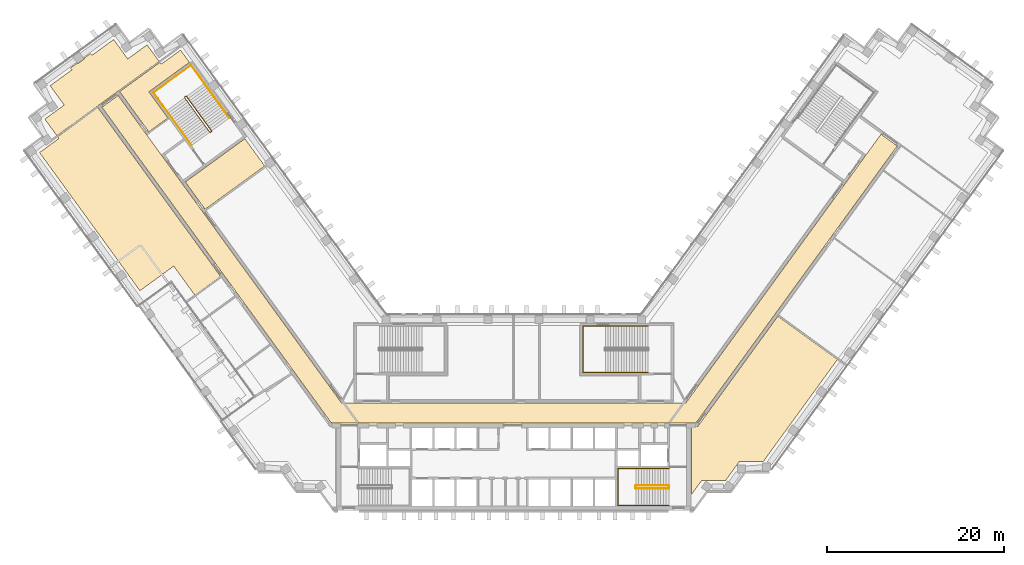
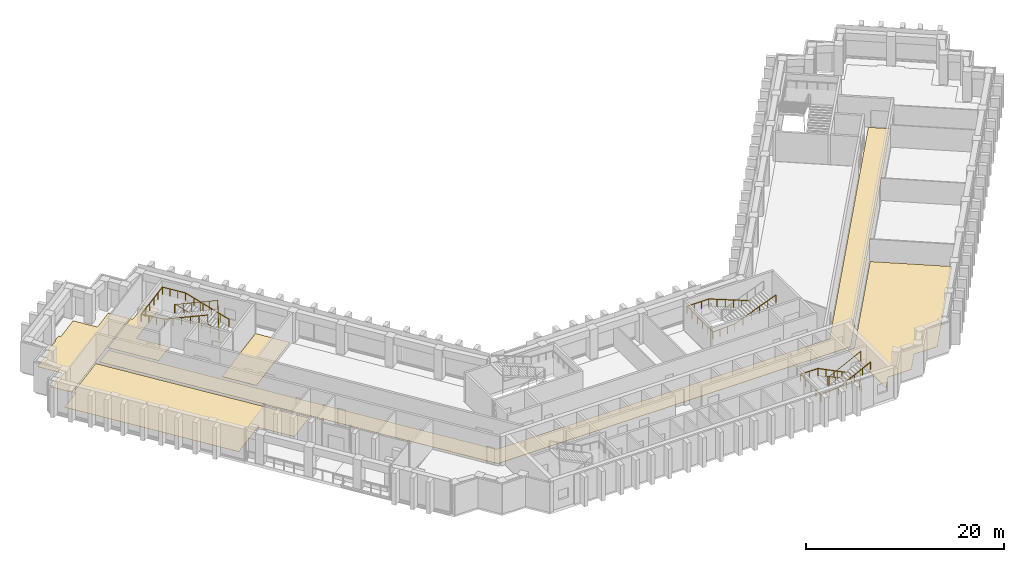
# One storey, part 15 of 16: 6 coverings, 5 railings.
"""IFC4 building model written with IfcOpenShell, lengths in metres."""

from ifc_helpers import new_model, si_unit, direction, frame, origin, origin_2d, place, context, subcontext, project, spatial, polyline, circle, outline, extrude, material, layer, layer_set, type_object, element, save


model = new_model("IFC4")

# Units and contexts
model_context = context("Model", 3, precision=1e-05, world=origin(), true_north=direction((0.0, 1.0)))
body_context = subcontext(model_context, "Body", "Model", "MODEL_VIEW")
ifc_project = project(units=[si_unit("LENGTHUNIT", "METRE"), si_unit("AREAUNIT", "SQUARE_METRE"), si_unit("VOLUMEUNIT", "CUBIC_METRE"), si_unit("PLANEANGLEUNIT", "RADIAN"), si_unit("MASSUNIT", "GRAM", prefix="KILO")], contexts=[model_context])

# Site, building, storey
site_placement = place(None, origin())
site = spatial("IfcSite", under=ifc_project, at=site_placement, CompositionType="ELEMENT")
building_placement = place(site_placement, origin())
building = spatial("IfcBuilding", under=site, at=building_placement, Name="Quipu Civic Tower", CompositionType="ELEMENT")
storey_placement = place(building_placement, frame((0.0, 0.0, 55.0)))
storey = spatial("IfcBuildingStorey", under=building, at=storey_placement, Name="L12", CompositionType="ELEMENT", Elevation=55.0)

# Coverings
ifc_material_1 = material(Name="Carpet tile on raised access floor")
ifc_layer_1 = layer(ifc_material_1, 0.02001953125)
ifc_layer_set_1 = layer_set([ifc_layer_1], Name="Carpet tile on raised access floor")
covering_type_1 = type_object("IfcCoveringType", Name="Carpet tile floor finish 20", PredefinedType="FLOORING", material=ifc_layer_set_1)
covering_1_placement = place(storey_placement, origin())
element("IfcCovering", 1, at=covering_1_placement, inside=storey, type_object=covering_type_1, Name="Carpet tile floor finish 20", PredefinedType="FLOORING", context=body_context, shape_type="SweptSolid", body=[
    extrude(outline(polyline([(-52.883056640625, 33.12890625), (-50.698974609375, 34.717041015625), (-52.284912109375, 36.90087890625), (-49.826904296875, 38.68603515625), (-49.97900390625, 38.89697265625), (-49.259033203125, 39.4208984375), (-49.236083984375, 39.388916015625), (-49.23291015625, 39.385009765625), (-49.22900390625, 39.382080078125), (-49.22607421875, 39.3779296875), (-49.220947265625, 39.3759765625), (-49.217041015625, 39.373046875), (-49.212890625, 39.37109375), (-49.2080078125, 39.3701171875), (-49.202880859375, 39.368896484375), (-49.197998046875, 39.367919921875), (-49.193115234375, 39.367919921875), (-49.18896484375, 39.368896484375), (-49.18408203125, 39.3701171875), (-49.178955078125, 39.37109375), (-49.174072265625, 39.373046875), (-49.169921875, 39.375), (-49.166015625, 39.3779296875), (-48.43798828125, 39.906982421875), (-48.43408203125, 39.909912109375), (-48.430908203125, 39.9130859375), (-48.427001953125, 39.9169921875), (-48.425048828125, 39.9208984375), (-48.422119140625, 39.926025390625), (-48.419921875, 39.929931640625), (-48.4189453125, 39.93505859375), (-48.41796875, 39.93994140625), (-48.4169921875, 39.944091796875), (-48.4169921875, 39.948974609375), (-48.41796875, 39.9541015625), (-48.4189453125, 39.958984375), (-48.419921875, 39.964111328125), (-48.422119140625, 39.968017578125), (-48.424072265625, 39.972900390625), (-48.427001953125, 39.97705078125), (-48.449951171875, 40.008056640625), (-47.72900390625, 40.531982421875), (-47.574951171875, 40.322021484375), (-45.116943359375, 42.10791015625), (-43.531982421875, 39.925048828125), (-41.346923828125, 41.510986328125), (-39.989013671875, 39.64208984375), (-51.52587890625, 31.260009765625), (-52.883056640625, 33.12890625)])), origin(), (0.0, 0.0, 1.0), 0.02001953125),
])
covering_2_placement = place(storey_placement, origin())
element("IfcCovering", 2, at=covering_2_placement, inside=storey, type_object=covering_type_1, Name="Carpet tile floor finish 20", PredefinedType="FLOORING", context=body_context, shape_type="SweptSolid", body=[
    extrude(outline(polyline([(-44.445068359375, 36.23193359375), (-39.906005859375, 39.530029296875), (-39.757080078125, 39.327880859375), (-37.573974609375, 40.9130859375), (-36.570068359375, 39.530029296875), (-41.139892578125, 36.208984375), (-38.998046875, 33.260009765625), (-41.15087890625, 31.697021484375), (-44.445068359375, 36.23193359375)])), origin(), (0.0, 0.0, 1.0), 0.02001953125),
])
covering_3_placement = place(storey_placement, origin())
element("IfcCovering", 3, at=covering_3_placement, inside=storey, type_object=covering_type_1, Name="Carpet tile floor finish 20", PredefinedType="FLOORING", context=body_context, shape_type="SweptSolid", body=[
    extrude(outline(polyline([(20.070068359375, -9.195068359375), (20.070068359375, -1.52001953125), (20.77490234375, -1.51904296875), (29.7958984375, 10.89794921875), (36.52001953125, 6.013916015625), (28.181884765625, -5.4609375), (25.48193359375, -5.4619140625), (25.2080078125, -5.840087890625), (25.205078125, -5.841064453125), (25.200927734375, -5.843017578125), (25.197021484375, -5.844970703125), (25.193115234375, -5.847900390625), (25.18896484375, -5.85205078125), (25.18603515625, -5.85498046875), (25.18310546875, -5.85888671875), (25.179931640625, -5.863037109375), (25.177978515625, -5.867919921875), (25.177001953125, -5.8720703125), (25.175048828125, -5.876953125), (25.175048828125, -5.882080078125), (25.174072265625, -5.885986328125), (23.89501953125, -7.64599609375), (21.721923828125, -7.64599609375), (21.721923828125, -7.64599609375), (21.718017578125, -7.64306640625), (21.712890625, -7.64111328125), (21.708984375, -7.638916015625), (21.7041015625, -7.637939453125), (21.698974609375, -7.636962890625), (21.694091796875, -7.635986328125), (21.68896484375, -7.636962890625), (21.68408203125, -7.636962890625), (21.679931640625, -7.637939453125), (21.675048828125, -7.639892578125), (21.669921875, -7.64111328125), (21.666015625, -7.64404296875), (21.6630859375, -7.64599609375), (21.196044921875, -7.64599609375), (20.070068359375, -9.195068359375)])), origin(), (0.0, 0.0, 1.0), 0.02001953125),
])
covering_4_placement = place(storey_placement, origin())
element("IfcCovering", 4, at=covering_4_placement, inside=storey, type_object=covering_type_1, Name="Carpet tile floor finish 20", PredefinedType="FLOORING", context=body_context, shape_type="SweptSolid", body=[
    extrude(outline(polyline([(-53.47998046875, 29.35791015625), (-51.298095703125, 30.943115234375), (-51.443115234375, 31.14599609375), (-46.904052734375, 34.444091796875), (-33.052978515625, 15.3798828125), (-35.962890625, 13.26708984375), (-38.346923828125, 16.5458984375), (-42.159912109375, 13.77587890625), (-53.47998046875, 29.35791015625)])), origin(), (0.0, 0.0, 1.0), 0.02001953125),
])
ifc_material_2 = material(Name="Sealed cement screed")
ifc_layer_2 = layer(ifc_material_2, 0.050048828125)
ifc_layer_set_2 = layer_set([ifc_layer_2], Name="Sealed cement screed")
covering_type_2 = type_object("IfcCoveringType", Name="Sealed screed floor finish 50", PredefinedType="FLOORING", material=ifc_layer_set_2)
covering_5_placement = place(storey_placement, origin())
element("IfcCovering", 5, at=covering_5_placement, inside=storey, type_object=covering_type_2, Name="Sealed screed floor finish 50", PredefinedType="FLOORING", context=body_context, shape_type="SweptSolid", body=[
    extrude(outline(polyline([(-37.0380859375, 26.0380859375), (-30.31494140625, 30.922119140625), (-28.0791015625, 27.843017578125), (-34.802001953125, 22.958984375), (-37.0380859375, 26.0380859375)])), origin(), (0.0, 0.0, 1.0), 0.050048828125),
])

# Railings
ifc_material_3 = material(Name="Stainless steel", Category="steel")
railing_type_1 = type_object("IfcRailingType", Name="Stair guard 1100", PredefinedType="GUARDRAIL", material=ifc_material_3)
railing_1_placement = place(storey_placement, frame((17.5, -8.199951171875, 0.15380859375)))
element("IfcRailing", 6, at=railing_1_placement, inside=storey, type_object=railing_type_1, Name="Stair 2 guard", PredefinedType="GUARDRAIL", context=body_context, shape_type="SweptSolid", body=[
    extrude(circle(Radius=0.02392578125, at=origin_2d()), frame((0.0, 0.0, 1.076171875), z_axis=(-0.895751851347, 0.0, 0.444554407028), x_axis=(0.0, -1.0, 0.0)), (0.0, 0.0, 1.0), 4.15283203125),
    extrude(circle(Radius=0.02392578125, at=origin_2d()), frame((-3.719970703125, 0.0, 2.92236328125), z_axis=(-0.707106781187, -0.707106781187, 0.0), x_axis=(0.707106781187, -0.707106781187, 0.0)), (0.0, 0.0, 1.0), 0.07080078125),
    extrude(circle(Radius=0.02392578125, at=origin_2d()), frame((-3.77001953125, -0.050048828125, 2.92236328125), z_axis=(0.0, -1.0, 0.0), x_axis=(1.0, 0.0, 0.0)), (0.0, 0.0, 1.0), 0.25),
    extrude(circle(Radius=0.02392578125, at=origin_2d()), frame((-3.77001953125, -0.300048828125, 2.92236328125), z_axis=(0.295599637079, -0.295599637079, 0.908428152975), x_axis=(0.707106781187, 0.707106781187, 0.0)), (0.0, 0.0, 1.0), 0.16943359375),
    extrude(circle(Radius=0.02392578125, at=origin_2d()), frame((-3.719970703125, -0.35009765625, 3.076171875), z_axis=(0.895751851347, 0.0, 0.444554407028), x_axis=(0.0, 1.0, 0.0)), (0.0, 0.0, 1.0), 4.15283203125),
    extrude(circle(Radius=0.02392578125, at=origin_2d()), frame((0.0, -0.35009765625, 4.92236328125), z_axis=(0.012476181752, 0.074796231092, -0.997120789425), x_axis=(-0.986372223864, 0.164529134168, 0.0)), (0.0, 0.0, 1.0), 4.011474609375),
    extrude(circle(Radius=0.02392578125, at=origin_2d()), frame((0.050048828125, -0.050048828125, 0.92236328125), z_axis=(0.0, -1.0, 0.0), x_axis=(1.0, 0.0, 0.0)), (0.0, 0.0, 1.0), 0.25),
    extrude(circle(Radius=0.02099609375, at=origin_2d()), origin(), (0.0, 0.0, 1.0), 1.052001953125),
    extrude(circle(Radius=0.02099609375, at=origin_2d()), frame((-0.929931640625, 0.0, 0.46142578125)), (0.0, 0.0, 1.0), 1.052001953125),
    extrude(circle(Radius=0.02099609375, at=origin_2d()), frame((-1.85986328125, 0.0, 0.923095703125)), (0.0, 0.0, 1.0), 1.052001953125),
    extrude(circle(Radius=0.02099609375, at=origin_2d()), frame((-2.7900390625, 0.0, 1.384765625)), (0.0, 0.0, 1.0), 1.052001953125),
    extrude(circle(Radius=0.02099609375, at=origin_2d()), frame((-3.719970703125, 0.0, 1.84619140625)), (0.0, 0.0, 1.0), 1.052001953125),
    extrude(circle(Radius=0.02099609375, at=origin_2d()), frame((-3.77001953125, -0.050048828125, 1.84619140625)), (0.0, 0.0, 1.0), 1.052001953125),
    extrude(circle(Radius=0.02099609375, at=origin_2d()), frame((-3.77001953125, -0.300048828125, 1.84619140625)), (0.0, 0.0, 1.0), 1.052001953125),
    extrude(circle(Radius=0.02099609375, at=origin_2d()), frame((-3.719970703125, -0.35009765625, 2.0)), (0.0, 0.0, 1.0), 1.052001953125),
    extrude(circle(Radius=0.02099609375, at=origin_2d()), frame((-2.7900390625, -0.35009765625, 2.46142578125)), (0.0, 0.0, 1.0), 1.052001953125),
    extrude(circle(Radius=0.02099609375, at=origin_2d()), frame((-1.85986328125, -0.35009765625, 2.923095703125)), (0.0, 0.0, 1.0), 1.052001953125),
    extrude(circle(Radius=0.02099609375, at=origin_2d()), frame((-0.929931640625, -0.35009765625, 3.384765625)), (0.0, 0.0, 1.0), 1.052001953125),
    extrude(circle(Radius=0.02099609375, at=origin_2d()), frame((0.0, -0.35009765625, 3.84619140625)), (0.0, 0.0, 1.0), 1.052001953125),
    extrude(circle(Radius=0.02099609375, at=origin_2d()), frame((0.012451171875, -0.275146484375, 2.84619140625)), (0.0, 0.0, 1.0), 1.052001953125),
    extrude(circle(Radius=0.02099609375, at=origin_2d()), frame((0.02490234375, -0.2001953125, 1.84619140625)), (0.0, 0.0, 1.0), 1.052001953125),
    extrude(circle(Radius=0.02099609375, at=origin_2d()), frame((0.03759765625, -0.125, 0.84619140625)), (0.0, 0.0, 1.0), 1.052001953125),
    extrude(circle(Radius=0.02099609375, at=origin_2d()), frame((0.050048828125, -0.050048828125, -0.15380859375)), (0.0, 0.0, 1.0), 1.052001953125),
    extrude(circle(Radius=0.02099609375, at=origin_2d()), frame((0.050048828125, -0.300048828125, -0.15380859375)), (0.0, 0.0, 1.0), 1.052001953125),
])
railing_2_placement = place(storey_placement, frame((-34.078857421875, 31.79736328125, 0.11767578125)))
element("IfcRailing", 7, at=railing_2_placement, inside=storey, type_object=railing_type_1, Name="Stair 6 guard", PredefinedType="GUARDRAIL", context=body_context, shape_type="SweptSolid", body=[
    extrude(circle(Radius=0.02392578125, at=origin_2d()), frame((0.0, 0.0, 1.076171875), z_axis=(-0.54720100349, 0.753182689643, 0.365084781664), x_axis=(-0.809026317077, -0.587772420479, 0.0)), (0.0, 0.0, 1.0), 5.15576171875),
    extrude(circle(Radius=0.02392578125, at=origin_2d()), frame((-2.8212890625, 3.88330078125, 2.95849609375), z_axis=(-0.987846838465, 0.155430446612, 0.0), x_axis=(-0.155430446612, -0.987846838465, 0.0)), (0.0, 0.0, 1.0), 0.07080078125),
    extrude(circle(Radius=0.02392578125, at=origin_2d()), frame((-2.89111328125, 3.894287109375, 2.95849609375), z_axis=(-0.809649071907, -0.586914287065, 0.0), x_axis=(0.586914287065, -0.809649071907, 0.0)), (0.0, 0.0, 1.0), 0.150146484375),
    extrude(circle(Radius=0.02392578125, at=origin_2d()), frame((-3.0126953125, 3.80615234375, 2.95849609375), z_axis=(-0.080033047627, -0.508654480474, 0.857242865693), x_axis=(0.987846838465, -0.155430446612, 0.0)), (0.0, 0.0, 1.0), 0.13720703125),
    extrude(circle(Radius=0.02392578125, at=origin_2d()), frame((-3.023681640625, 3.736328125, 3.076171875), z_axis=(0.54720100349, -0.753182689643, 0.365084781664), x_axis=(0.809026317077, 0.587772420479, 0.0)), (0.0, 0.0, 1.0), 5.15576171875),
    extrude(circle(Radius=0.02392578125, at=origin_2d()), frame((-0.202392578125, -0.14697265625, 4.95849609375), z_axis=(0.047788004556, 0.019261491632, -0.998671768681), x_axis=(-0.373837031195, 0.92749440651, 0.0)), (0.0, 0.0, 1.0), 4.00537109375),
    extrude(circle(Radius=0.02392578125, at=origin_2d()), frame((-0.010986328125, -0.06982421875, 0.95849609375), z_axis=(-0.809087927272, -0.587687609145, 0.0), x_axis=(0.587687609145, -0.809087927272, 0.0)), (0.0, 0.0, 1.0), 0.14990234375),
    extrude(circle(Radius=0.02099609375, at=origin_2d()), origin(), (0.0, 0.0, 1.0), 1.052001953125),
    extrude(circle(Radius=0.02099609375, at=origin_2d()), frame((-0.564208984375, 0.776611328125, 0.37646484375)), (0.0, 0.0, 1.0), 1.052001953125),
    extrude(circle(Radius=0.02099609375, at=origin_2d()), frame((-1.12841796875, 1.55322265625, 0.7529296875)), (0.0, 0.0, 1.0), 1.052001953125),
    extrude(circle(Radius=0.02099609375, at=origin_2d()), frame((-1.69287109375, 2.330078125, 1.12939453125)), (0.0, 0.0, 1.0), 1.052001953125),
    extrude(circle(Radius=0.02099609375, at=origin_2d()), frame((-2.257080078125, 3.106689453125, 1.505859375)), (0.0, 0.0, 1.0), 1.052001953125),
    extrude(circle(Radius=0.02099609375, at=origin_2d()), frame((-2.8212890625, 3.88330078125, 1.88232421875)), (0.0, 0.0, 1.0), 1.052001953125),
    extrude(circle(Radius=0.02099609375, at=origin_2d()), frame((-2.89111328125, 3.894287109375, 1.88232421875)), (0.0, 0.0, 1.0), 1.052001953125),
    extrude(circle(Radius=0.02099609375, at=origin_2d()), frame((-3.0126953125, 3.80615234375, 1.88232421875)), (0.0, 0.0, 1.0), 1.052001953125),
    extrude(circle(Radius=0.02099609375, at=origin_2d()), frame((-3.023681640625, 3.736328125, 2.0)), (0.0, 0.0, 1.0), 1.052001953125),
    extrude(circle(Radius=0.02099609375, at=origin_2d()), frame((-2.45947265625, 2.959716796875, 2.37646484375)), (0.0, 0.0, 1.0), 1.052001953125),
    extrude(circle(Radius=0.02099609375, at=origin_2d()), frame((-1.895263671875, 2.18310546875, 2.7529296875)), (0.0, 0.0, 1.0), 1.052001953125),
    extrude(circle(Radius=0.02099609375, at=origin_2d()), frame((-1.330810546875, 1.40625, 3.12939453125)), (0.0, 0.0, 1.0), 1.052001953125),
    extrude(circle(Radius=0.02099609375, at=origin_2d()), frame((-0.7666015625, 0.629638671875, 3.505859375)), (0.0, 0.0, 1.0), 1.052001953125),
    extrude(circle(Radius=0.02099609375, at=origin_2d()), frame((-0.202392578125, -0.14697265625, 3.88232421875)), (0.0, 0.0, 1.0), 1.052001953125),
    extrude(circle(Radius=0.02099609375, at=origin_2d()), frame((-0.154541015625, -0.127685546875, 2.88232421875)), (0.0, 0.0, 1.0), 1.052001953125),
    extrude(circle(Radius=0.02099609375, at=origin_2d()), frame((-0.106689453125, -0.1083984375, 1.88232421875)), (0.0, 0.0, 1.0), 1.052001953125),
    extrude(circle(Radius=0.02099609375, at=origin_2d()), frame((-0.058837890625, -0.089111328125, 0.88232421875)), (0.0, 0.0, 1.0), 1.052001953125),
    extrude(circle(Radius=0.02099609375, at=origin_2d()), frame((-0.010986328125, -0.06982421875, -0.11767578125)), (0.0, 0.0, 1.0), 1.052001953125),
    extrude(circle(Radius=0.02099609375, at=origin_2d()), frame((-0.13232421875, -0.157958984375, -0.11767578125)), (0.0, 0.0, 1.0), 1.052001953125),
])
ifc_material_4 = material(Name="Stainless steel", Category="steel")
railing_type_2 = type_object("IfcRailingType", Name="Stair handrail", PredefinedType="HANDRAIL", material=ifc_material_4)
railing_3_placement = place(storey_placement, frame((17.5, -6.300048828125, 0.15380859375)))
element("IfcRailing", 8, at=railing_3_placement, inside=storey, type_object=railing_type_2, Name="Stair 2 handrail", PredefinedType="HANDRAIL", context=body_context, shape_type="SweptSolid", body=[
    extrude(circle(Radius=0.02392578125, at=origin_2d()), frame((0.0, 0.0, 0.8759765625), z_axis=(-0.895751851347, 0.0, 0.444554407028), x_axis=(0.0, -1.0, 0.0)), (0.0, 0.0, 1.0), 4.15283203125),
    extrude(circle(Radius=0.02392578125, at=origin_2d()), frame((-3.719970703125, 0.0, 2.72216796875), z_axis=(-1.0, 0.0, 0.0), x_axis=(0.0, -1.0, 0.0)), (0.0, 0.0, 1.0), 2.030029296875),
    extrude(circle(Radius=0.02392578125, at=origin_2d()), frame((-5.75, 0.0, 2.72216796875), z_axis=(0.0, -1.0, 0.0), x_axis=(1.0, 0.0, 0.0)), (0.0, 0.0, 1.0), 4.14990234375),
    extrude(circle(Radius=0.02392578125, at=origin_2d()), frame((-5.75, -4.14990234375, 2.72216796875), z_axis=(0.997142003663, 0.0, 0.075550145798), x_axis=(0.0, 1.0, 0.0)), (0.0, 0.0, 1.0), 2.035888671875),
    extrude(circle(Radius=0.02392578125, at=origin_2d()), frame((-3.719970703125, -4.14990234375, 2.8759765625), z_axis=(0.895751851347, 0.0, 0.444554407028), x_axis=(0.0, 1.0, 0.0)), (0.0, 0.0, 1.0), 4.15283203125),
    extrude(circle(Radius=0.02099609375, at=origin_2d()), origin(), (0.0, 0.0, 1.0), 0.851806640625),
    extrude(circle(Radius=0.02099609375, at=origin_2d()), frame((-0.929931640625, 0.0, 0.46142578125)), (0.0, 0.0, 1.0), 0.851806640625),
    extrude(circle(Radius=0.02099609375, at=origin_2d()), frame((-1.85986328125, 0.0, 0.923095703125)), (0.0, 0.0, 1.0), 0.851806640625),
    extrude(circle(Radius=0.02099609375, at=origin_2d()), frame((-2.7900390625, 0.0, 1.384765625)), (0.0, 0.0, 1.0), 0.851806640625),
    extrude(circle(Radius=0.02099609375, at=origin_2d()), frame((-3.719970703125, 0.0, 1.84619140625)), (0.0, 0.0, 1.0), 0.851806640625),
    extrude(circle(Radius=0.02099609375, at=origin_2d()), frame((-4.73486328125, 0.0, 1.84619140625)), (0.0, 0.0, 1.0), 0.851806640625),
    extrude(circle(Radius=0.02099609375, at=origin_2d()), frame((-5.75, 0.0, 1.84619140625)), (0.0, 0.0, 1.0), 0.851806640625),
    extrude(circle(Radius=0.02099609375, at=origin_2d()), frame((-5.75, -1.03759765625, 1.84619140625)), (0.0, 0.0, 1.0), 0.851806640625),
    extrude(circle(Radius=0.02099609375, at=origin_2d()), frame((-5.75, -2.074951171875, 1.84619140625)), (0.0, 0.0, 1.0), 0.851806640625),
    extrude(circle(Radius=0.02099609375, at=origin_2d()), frame((-5.75, -3.1123046875, 1.84619140625)), (0.0, 0.0, 1.0), 0.851806640625),
    extrude(circle(Radius=0.02099609375, at=origin_2d()), frame((-5.75, -4.14990234375, 1.84619140625)), (0.0, 0.0, 1.0), 0.851806640625),
    extrude(circle(Radius=0.02099609375, at=origin_2d()), frame((-4.73486328125, -4.14990234375, 1.923095703125)), (0.0, 0.0, 1.0), 0.851806640625),
    extrude(circle(Radius=0.02099609375, at=origin_2d()), frame((-3.719970703125, -4.14990234375, 2.0)), (0.0, 0.0, 1.0), 0.851806640625),
    extrude(circle(Radius=0.02099609375, at=origin_2d()), frame((-2.7900390625, -4.14990234375, 2.46142578125)), (0.0, 0.0, 1.0), 0.851806640625),
    extrude(circle(Radius=0.02099609375, at=origin_2d()), frame((-1.85986328125, -4.14990234375, 2.923095703125)), (0.0, 0.0, 1.0), 0.851806640625),
    extrude(circle(Radius=0.02099609375, at=origin_2d()), frame((-0.929931640625, -4.14990234375, 3.384765625)), (0.0, 0.0, 1.0), 0.851806640625),
    extrude(circle(Radius=0.02099609375, at=origin_2d()), frame((0.0, -4.14990234375, 3.84619140625)), (0.0, 0.0, 1.0), 0.851806640625),
])
railing_4_placement = place(storey_placement, frame((15.14990234375, 9.800048828125, 0.11767578125)))
element("IfcRailing", 9, at=railing_4_placement, inside=storey, type_object=railing_type_2, Name="Stair 4 handrail", PredefinedType="HANDRAIL", context=body_context, shape_type="SweptSolid", body=[
    extrude(circle(Radius=0.02392578125, at=origin_2d()), frame((0.0, 0.0, 0.8759765625), z_axis=(-0.930970042603, 0.0, 0.365095576219), x_axis=(0.0, -1.0, 0.0)), (0.0, 0.0, 1.0), 5.15576171875),
    extrude(circle(Radius=0.02392578125, at=origin_2d()), frame((-4.7998046875, 0.0, 2.75830078125), z_axis=(-1.0, 0.0, 0.0), x_axis=(0.0, -1.0, 0.0)), (0.0, 0.0, 1.0), 2.550048828125),
    extrude(circle(Radius=0.02392578125, at=origin_2d()), frame((-7.349853515625, 0.0, 2.75830078125), z_axis=(0.0, -1.0, 0.0), x_axis=(1.0, 0.0, 0.0)), (0.0, 0.0, 1.0), 5.25),
    extrude(circle(Radius=0.02392578125, at=origin_2d()), frame((-7.349853515625, -5.25, 2.75830078125), z_axis=(0.998936948642, 0.0, 0.04609742549), x_axis=(0.0, 1.0, 0.0)), (0.0, 0.0, 1.0), 2.552734375),
    extrude(circle(Radius=0.02392578125, at=origin_2d()), frame((-4.7998046875, -5.25, 2.8759765625), z_axis=(0.930970042603, 0.0, 0.365095576219), x_axis=(0.0, 1.0, 0.0)), (0.0, 0.0, 1.0), 5.15576171875),
    extrude(circle(Radius=0.02099609375, at=origin_2d()), origin(), (0.0, 0.0, 1.0), 0.851806640625),
    extrude(circle(Radius=0.02099609375, at=origin_2d()), frame((-0.9599609375, 0.0, 0.37646484375)), (0.0, 0.0, 1.0), 0.851806640625),
    extrude(circle(Radius=0.02099609375, at=origin_2d()), frame((-1.919921875, 0.0, 0.7529296875)), (0.0, 0.0, 1.0), 0.851806640625),
    extrude(circle(Radius=0.02099609375, at=origin_2d()), frame((-2.8798828125, 0.0, 1.12939453125)), (0.0, 0.0, 1.0), 0.851806640625),
    extrude(circle(Radius=0.02099609375, at=origin_2d()), frame((-3.83984375, 0.0, 1.505859375)), (0.0, 0.0, 1.0), 0.851806640625),
    extrude(circle(Radius=0.02099609375, at=origin_2d()), frame((-4.7998046875, 0.0, 1.88232421875)), (0.0, 0.0, 1.0), 0.851806640625),
    extrude(circle(Radius=0.02099609375, at=origin_2d()), frame((-5.64990234375, 0.0, 1.88232421875)), (0.0, 0.0, 1.0), 0.851806640625),
    extrude(circle(Radius=0.02099609375, at=origin_2d()), frame((-6.499755859375, 0.0, 1.88232421875)), (0.0, 0.0, 1.0), 0.851806640625),
    extrude(circle(Radius=0.02099609375, at=origin_2d()), frame((-7.349853515625, 0.0, 1.88232421875)), (0.0, 0.0, 1.0), 0.851806640625),
    extrude(circle(Radius=0.02099609375, at=origin_2d()), frame((-7.349853515625, -1.050048828125, 1.88232421875)), (0.0, 0.0, 1.0), 0.851806640625),
    extrude(circle(Radius=0.02099609375, at=origin_2d()), frame((-7.349853515625, -2.10009765625, 1.88232421875)), (0.0, 0.0, 1.0), 0.851806640625),
    extrude(circle(Radius=0.02099609375, at=origin_2d()), frame((-7.349853515625, -3.14990234375, 1.88232421875)), (0.0, 0.0, 1.0), 0.851806640625),
    extrude(circle(Radius=0.02099609375, at=origin_2d()), frame((-7.349853515625, -4.199951171875, 1.88232421875)), (0.0, 0.0, 1.0), 0.851806640625),
    extrude(circle(Radius=0.02099609375, at=origin_2d()), frame((-7.349853515625, -5.25, 1.88232421875)), (0.0, 0.0, 1.0), 0.851806640625),
    extrude(circle(Radius=0.02099609375, at=origin_2d()), frame((-6.499755859375, -5.25, 1.921630859375)), (0.0, 0.0, 1.0), 0.851806640625),
    extrude(circle(Radius=0.02099609375, at=origin_2d()), frame((-5.64990234375, -5.25, 1.960693359375)), (0.0, 0.0, 1.0), 0.851806640625),
    extrude(circle(Radius=0.02099609375, at=origin_2d()), frame((-4.7998046875, -5.25, 2.0)), (0.0, 0.0, 1.0), 0.851806640625),
    extrude(circle(Radius=0.02099609375, at=origin_2d()), frame((-3.83984375, -5.25, 2.37646484375)), (0.0, 0.0, 1.0), 0.851806640625),
    extrude(circle(Radius=0.02099609375, at=origin_2d()), frame((-2.8798828125, -5.25, 2.7529296875)), (0.0, 0.0, 1.0), 0.851806640625),
    extrude(circle(Radius=0.02099609375, at=origin_2d()), frame((-1.919921875, -5.25, 3.12939453125)), (0.0, 0.0, 1.0), 0.851806640625),
    extrude(circle(Radius=0.02099609375, at=origin_2d()), frame((-0.9599609375, -5.25, 3.505859375)), (0.0, 0.0, 1.0), 0.851806640625),
    extrude(circle(Radius=0.02099609375, at=origin_2d()), frame((0.0, -5.25, 3.88232421875)), (0.0, 0.0, 1.0), 0.851806640625),
])
railing_5_placement = place(storey_placement, frame((-32.056396484375, 33.266845703125, 0.11767578125)))
element("IfcRailing", 10, at=railing_5_placement, inside=storey, type_object=railing_type_2, Name="Stair 6 handrail", PredefinedType="HANDRAIL", context=body_context, shape_type="SweptSolid", body=[
    extrude(circle(Radius=0.02392578125, at=origin_2d()), frame((0.0, 0.0, 0.8759765625), z_axis=(-0.54720100349, 0.753182689643, 0.365084781664), x_axis=(-0.809026317077, -0.587772420479, 0.0)), (0.0, 0.0, 1.0), 5.15576171875),
    extrude(circle(Radius=0.02392578125, at=origin_2d()), frame((-2.8212890625, 3.88330078125, 2.75830078125), z_axis=(-0.587767432704, 0.809029940764, 0.0), x_axis=(-0.809029940764, -0.587767432704, 0.0)), (0.0, 0.0, 1.0), 2.550048828125),
    extrude(circle(Radius=0.02392578125, at=origin_2d()), frame((-4.320068359375, 5.9462890625, 2.75830078125), z_axis=(-0.809009483706, -0.587795589702, 0.0), x_axis=(0.587795589702, -0.809009483706, 0.0)), (0.0, 0.0, 1.0), 5.25),
    extrude(circle(Radius=0.02392578125, at=origin_2d()), frame((-8.5673828125, 2.8603515625, 2.75830078125), z_axis=(0.587142558822, -0.808169835812, 0.046099155132), x_axis=(0.809029940764, 0.587767432704, 0.0)), (0.0, 0.0, 1.0), 2.552734375),
    extrude(circle(Radius=0.02392578125, at=origin_2d()), frame((-7.068603515625, 0.79736328125, 2.8759765625), z_axis=(0.54720100349, -0.753182689643, 0.365084781664), x_axis=(0.809026317077, 0.587772420479, 0.0)), (0.0, 0.0, 1.0), 5.15576171875),
    extrude(circle(Radius=0.02099609375, at=origin_2d()), origin(), (0.0, 0.0, 1.0), 0.851806640625),
    extrude(circle(Radius=0.02099609375, at=origin_2d()), frame((-0.564208984375, 0.776611328125, 0.37646484375)), (0.0, 0.0, 1.0), 0.851806640625),
    extrude(circle(Radius=0.02099609375, at=origin_2d()), frame((-1.12841796875, 1.55322265625, 0.7529296875)), (0.0, 0.0, 1.0), 0.851806640625),
    extrude(circle(Radius=0.02099609375, at=origin_2d()), frame((-1.69287109375, 2.330078125, 1.12939453125)), (0.0, 0.0, 1.0), 0.851806640625),
    extrude(circle(Radius=0.02099609375, at=origin_2d()), frame((-2.257080078125, 3.106689453125, 1.505859375)), (0.0, 0.0, 1.0), 0.851806640625),
    extrude(circle(Radius=0.02099609375, at=origin_2d()), frame((-2.8212890625, 3.88330078125, 1.88232421875)), (0.0, 0.0, 1.0), 0.851806640625),
    extrude(circle(Radius=0.02099609375, at=origin_2d()), frame((-3.32080078125, 4.571044921875, 1.88232421875)), (0.0, 0.0, 1.0), 0.851806640625),
    extrude(circle(Radius=0.02099609375, at=origin_2d()), frame((-3.820556640625, 5.258544921875, 1.88232421875)), (0.0, 0.0, 1.0), 0.851806640625),
    extrude(circle(Radius=0.02099609375, at=origin_2d()), frame((-4.320068359375, 5.9462890625, 1.88232421875)), (0.0, 0.0, 1.0), 0.851806640625),
    extrude(circle(Radius=0.02099609375, at=origin_2d()), frame((-5.16943359375, 5.3291015625, 1.88232421875)), (0.0, 0.0, 1.0), 0.851806640625),
    extrude(circle(Radius=0.02099609375, at=origin_2d()), frame((-6.01904296875, 4.7119140625, 1.88232421875)), (0.0, 0.0, 1.0), 0.851806640625),
    extrude(circle(Radius=0.02099609375, at=origin_2d()), frame((-6.868408203125, 4.0947265625, 1.88232421875)), (0.0, 0.0, 1.0), 0.851806640625),
    extrude(circle(Radius=0.02099609375, at=origin_2d()), frame((-7.718017578125, 3.4775390625, 1.88232421875)), (0.0, 0.0, 1.0), 0.851806640625),
    extrude(circle(Radius=0.02099609375, at=origin_2d()), frame((-8.5673828125, 2.8603515625, 1.88232421875)), (0.0, 0.0, 1.0), 0.851806640625),
    extrude(circle(Radius=0.02099609375, at=origin_2d()), frame((-8.06787109375, 2.172607421875, 1.921630859375)), (0.0, 0.0, 1.0), 0.851806640625),
    extrude(circle(Radius=0.02099609375, at=origin_2d()), frame((-7.568115234375, 1.485107421875, 1.960693359375)), (0.0, 0.0, 1.0), 0.851806640625),
    extrude(circle(Radius=0.02099609375, at=origin_2d()), frame((-7.068603515625, 0.79736328125, 2.0)), (0.0, 0.0, 1.0), 0.851806640625),
    extrude(circle(Radius=0.02099609375, at=origin_2d()), frame((-6.50439453125, 0.020751953125, 2.37646484375)), (0.0, 0.0, 1.0), 0.851806640625),
    extrude(circle(Radius=0.02099609375, at=origin_2d()), frame((-5.940185546875, -0.755859375, 2.7529296875)), (0.0, 0.0, 1.0), 0.851806640625),
    extrude(circle(Radius=0.02099609375, at=origin_2d()), frame((-5.375732421875, -1.53271484375, 3.12939453125)), (0.0, 0.0, 1.0), 0.851806640625),
    extrude(circle(Radius=0.02099609375, at=origin_2d()), frame((-4.8115234375, -2.309326171875, 3.505859375)), (0.0, 0.0, 1.0), 0.851806640625),
    extrude(circle(Radius=0.02099609375, at=origin_2d()), frame((-4.247314453125, -3.0859375, 3.88232421875)), (0.0, 0.0, 1.0), 0.851806640625),
])

# Covering
ifc_material_5 = material(Name="Terrazzo floor finish")
ifc_layer_3 = layer(ifc_material_5, 0.0400390625)
ifc_layer_set_3 = layer_set([ifc_layer_3], Name="Terrazzo floor finish")
covering_type_3 = type_object("IfcCoveringType", Name="Terrazzo floor finish 40", PredefinedType="FLOORING", material=ifc_layer_set_3)
covering_6_placement = place(storey_placement, origin())
element("IfcCovering", 11, at=covering_6_placement, inside=storey, type_object=covering_type_3, Name="Terrazzo floor finish 40", PredefinedType="FLOORING", context=body_context, shape_type="SweptSolid", body=[
    extrude(outline(polyline([(20.574951171875, -1.1298828125), (-20.574951171875, -1.1298828125), (-46.44091796875, 34.471923828125), (-44.613037109375, 35.800048828125), (-19.425048828125, 1.1298828125), (19.425048828125, 1.1298828125), (41.43896484375, 31.430908203125), (43.26708984375, 30.10302734375), (20.574951171875, -1.1298828125)])), origin(), (0.0, 0.0, 1.0), 0.0400390625),
])

save(model, "model.ifc")
